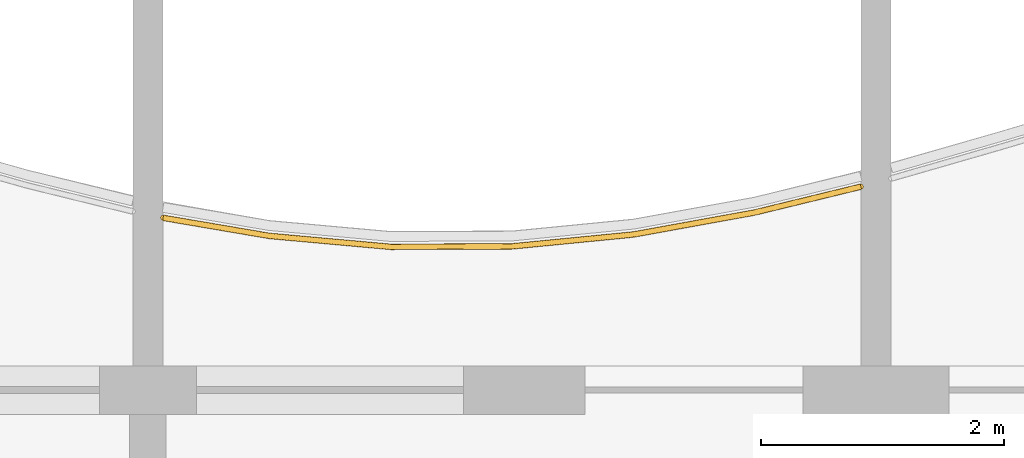
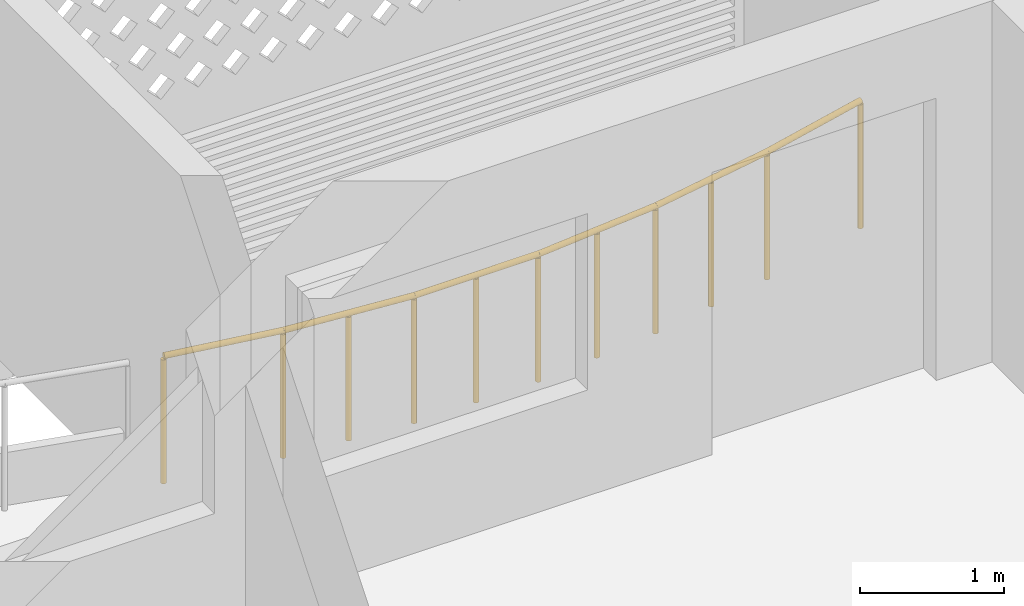
# One storey, part 22 of 33: 1 railing.
"""IFC4 building model written with IfcOpenShell, lengths in metres."""

from ifc_helpers import new_model, si_unit, direction, frame, origin, origin_2d, place, context, subcontext, project, spatial, circle, extrude, material, type_object, element, save


model = new_model("IFC4")

# Units and contexts
model_context = context("Model", 3, precision=1e-05, world=origin(), true_north=direction((0.0, 1.0)))
body_context = subcontext(model_context, "Body", "Model", "MODEL_VIEW")
ifc_project = project(units=[si_unit("LENGTHUNIT", "METRE"), si_unit("AREAUNIT", "SQUARE_METRE"), si_unit("VOLUMEUNIT", "CUBIC_METRE"), si_unit("PLANEANGLEUNIT", "RADIAN"), si_unit("MASSUNIT", "GRAM", prefix="KILO")], contexts=[model_context])

# Site, building, storey
site_placement = place(None, origin())
site = spatial("IfcSite", under=ifc_project, at=site_placement, CompositionType="ELEMENT")
building_placement = place(site_placement, origin())
building = spatial("IfcBuilding", under=site, at=building_placement, Name="Poui Terraces", CompositionType="ELEMENT")
storey_placement = place(building_placement, frame((0.0, 0.0, 135.60009765625)))
storey = spatial("IfcBuildingStorey", under=building, at=storey_placement, Name="L37", CompositionType="ELEMENT", Elevation=135.60009765625)

# Railing
ifc_material = material(Name="Painted steel fretwork", Category="steel")
railing_type = type_object("IfcRailingType", Name="BALCONY GUARD 1100", PredefinedType="GUARDRAIL", material=ifc_material)
railing_placement = place(storey_placement, frame((36.125, 43.8193359375, 0.0)))
element("IfcRailing", 1, at=railing_placement, inside=storey, type_object=railing_type, Name="BALCONY GUARD", PredefinedType="GUARDRAIL", context=body_context, shape_type="SweptSolid", body=[
    extrude(circle(Radius=0.02392578125, at=origin_2d()), frame((0.0, 0.0, 1.076171875), z_axis=(0.985823105924, -0.167787972828, 0.0), x_axis=(0.167787972828, 0.985823105924, 0.0)), (0.0, 0.0, 1.0), 0.8876953125),
    extrude(circle(Radius=0.02392578125, at=origin_2d()), frame((0.875, -0.14892578125, 1.076171875), z_axis=(0.995944862323, -0.089965722427, 0.0), x_axis=(0.089965722427, 0.995944862323, 0.0)), (0.0, 0.0, 1.0), 1.004150390625),
    extrude(circle(Radius=0.02392578125, at=origin_2d()), frame((1.875, -0.2392578125, 1.076171875), z_axis=(0.999992370693, 0.003906220198, 0.0), x_axis=(-0.003906220198, 0.999992370693, 0.0)), (0.0, 0.0, 1.0), 1.0),
    extrude(circle(Radius=0.02392578125, at=origin_2d()), frame((2.875, -0.2353515625, 1.076171875), z_axis=(0.995241932297, 0.097434573938, 0.0), x_axis=(-0.097434573938, 0.995241932297, 0.0)), (0.0, 0.0, 1.0), 1.0048828125),
    extrude(circle(Radius=0.02392578125, at=origin_2d()), frame((3.875, -0.137451171875, 1.076171875), z_axis=(0.983942855126, 0.178483774746, 0.0), x_axis=(-0.178483774746, 0.983942855126, 0.0)), (0.0, 0.0, 1.0), 1.016357421875),
    extrude(circle(Radius=0.02392578125, at=origin_2d()), frame((4.875, 0.0439453125, 1.076171875), z_axis=(0.971654139629, 0.236406922365, 0.0), x_axis=(-0.236406922365, 0.971654139629, 0.0)), (0.0, 0.0, 1.0), 0.900634765625),
    extrude(circle(Radius=0.02099609375, at=origin_2d()), origin(), (0.0, 0.0, 1.0), 1.052001953125),
    extrude(circle(Radius=0.02099609375, at=origin_2d()), frame((0.875, -0.14892578125, 0.0)), (0.0, 0.0, 1.0), 1.052001953125),
    extrude(circle(Radius=0.02099609375, at=origin_2d()), frame((1.375, -0.194091796875, 0.0)), (0.0, 0.0, 1.0), 1.052001953125),
    extrude(circle(Radius=0.02099609375, at=origin_2d()), frame((1.875, -0.2392578125, 0.0)), (0.0, 0.0, 1.0), 1.052001953125),
    extrude(circle(Radius=0.02099609375, at=origin_2d()), frame((2.375, -0.2373046875, 0.0)), (0.0, 0.0, 1.0), 1.052001953125),
    extrude(circle(Radius=0.02099609375, at=origin_2d()), frame((2.875, -0.2353515625, 0.0)), (0.0, 0.0, 1.0), 1.052001953125),
    extrude(circle(Radius=0.02099609375, at=origin_2d()), frame((3.375, -0.1865234375, 0.0)), (0.0, 0.0, 1.0), 1.052001953125),
    extrude(circle(Radius=0.02099609375, at=origin_2d()), frame((3.875, -0.137451171875, 0.0)), (0.0, 0.0, 1.0), 1.052001953125),
    extrude(circle(Radius=0.02099609375, at=origin_2d()), frame((4.375, -0.046875, 0.0)), (0.0, 0.0, 1.0), 1.052001953125),
    extrude(circle(Radius=0.02099609375, at=origin_2d()), frame((4.875, 0.0439453125, 0.0)), (0.0, 0.0, 1.0), 1.052001953125),
    extrude(circle(Radius=0.02099609375, at=origin_2d()), frame((5.75, 0.2568359375, 0.0)), (0.0, 0.0, 1.0), 1.052001953125),
])

save(model, "model.ifc")
